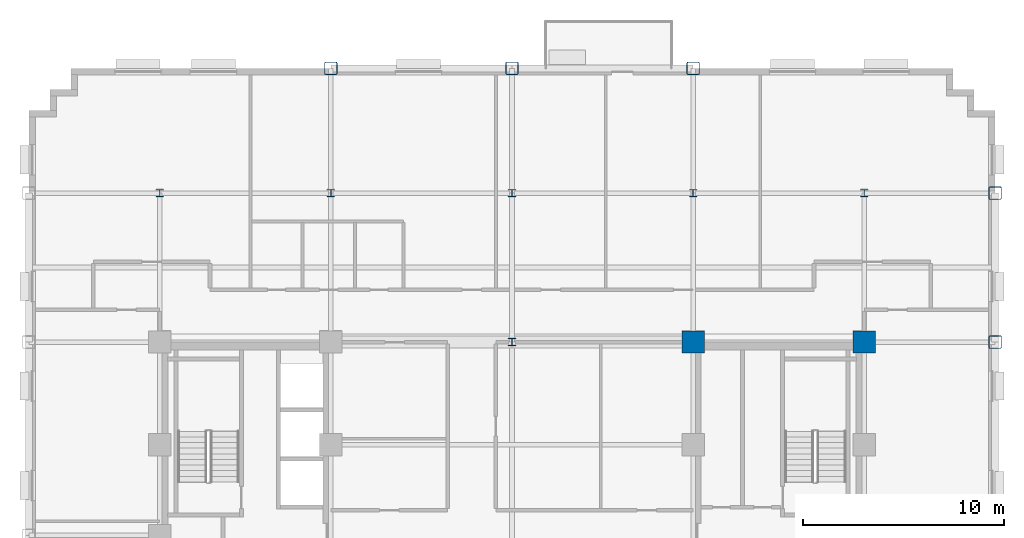
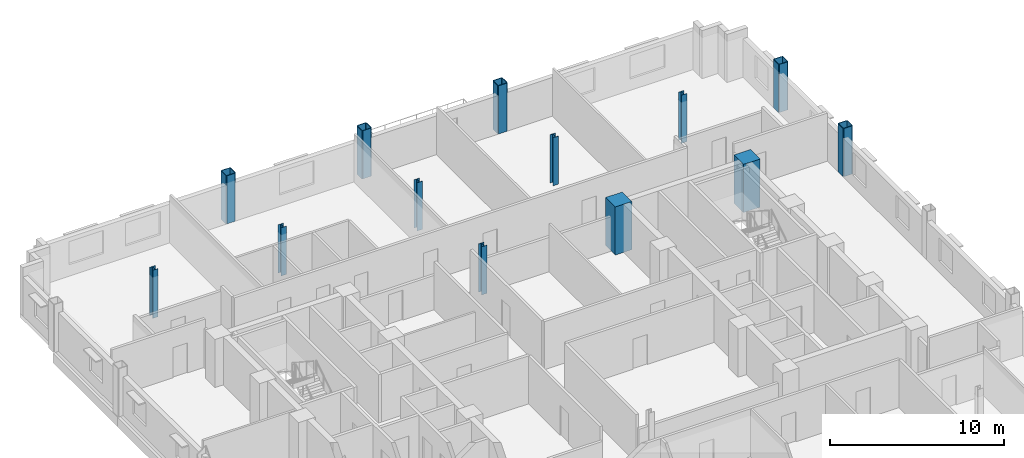
# One storey, part 3 of 14: 13 columns.
"""IFC4 building model written with IfcOpenShell, lengths in metres."""

import ifcopenshell
import ifcopenshell.guid

model = None  # the IFC model being written
_history = None  # IfcOwnerHistory: only IFC2X3 demands one
_inside = {}  # id of a spatial element -> (the spatial element, [elements in it])
_under = {}  # id of a project, library or spatial element -> (it, [spatial elements below it])
_declared = {}  # id of a project -> (the project, [libraries it declares])
_typed = {}  # id of a type object -> (the type object, [elements of that type])
_made_of = {}  # id of a material, layer set ... -> (it, [elements and type objects made of it])


def new_model(schema):
    """Start an empty IFC model of exactly this schema.

    Asked for "IFC4X3", IfcOpenShell would pick the latest addendum, in which some entities
    have other attributes; the version numbers below select the first issue.
    IFC2X3 requires an IfcOwnerHistory on every rooted entity: one is made here for all.
    """
    global model, _history
    if schema == "IFC4X3":
        model = ifcopenshell.file(schema_version=(4, 3, 0, 0))
    else:
        model = ifcopenshell.file(schema=schema)
    _inside.clear()
    _under.clear()
    _declared.clear()
    _typed.clear()
    _made_of.clear()
    _history = None
    if model.schema == "IFC2X3":
        org = make("IfcOrganization", Name="unknown")
        user = make(
            "IfcPersonAndOrganization",
            ThePerson=make("IfcPerson", FamilyName="unknown"),
            TheOrganization=org,
        )
        app = make(
            "IfcApplication",
            ApplicationDeveloper=org,
            Version="unknown",
            ApplicationFullName="unknown",
            ApplicationIdentifier="unknown",
        )
        _history = make(
            "IfcOwnerHistory",
            OwningUser=user,
            OwningApplication=app,
            ChangeAction="ADDED",
            CreationDate=0,
        )
    return model


def make(cls, **values):
    """One entity of the class cls with the attributes given. An attribute that is None is left unset."""
    return model.create_entity(
        cls, **{name: value for name, value in values.items() if value is not None}
    )


def rooted(cls, **values):
    """An entity with a GlobalId (a new one), such as an element, a storey or a relation."""
    return make(cls, GlobalId=ifcopenshell.guid.new(), OwnerHistory=_history, **values)


def si_unit(unit_type, name, prefix=None):
    """IfcSIUnit, for example si_unit("LENGTHUNIT", "METRE", prefix="MILLI")."""
    return make("IfcSIUnit", UnitType=unit_type, Prefix=prefix, Name=name)


def assignment(units):
    """IfcUnitAssignment: the units of a project."""
    return None if units is None else make("IfcUnitAssignment", Units=units)


def point(xyz):
    """IfcCartesianPoint."""
    return None if xyz is None else make("IfcCartesianPoint", Coordinates=xyz)


def direction(xyz):
    """IfcDirection."""
    return None if xyz is None else make("IfcDirection", DirectionRatios=xyz)


def frame(location, z_axis=None, x_axis=None):
    """IfcAxis2Placement3D, a coordinate frame: its origin and axes. An axis left out is left unset."""
    return make(
        "IfcAxis2Placement3D",
        Location=point(location),
        Axis=direction(z_axis),
        RefDirection=direction(x_axis),
    )


def frame_2d(location, x_axis=None):
    """IfcAxis2Placement2D, a coordinate frame in the plane: its origin and x axis."""
    return make(
        "IfcAxis2Placement2D", Location=point(location), RefDirection=direction(x_axis)
    )


def origin():
    """The frame at (0, 0, 0) with its axes left unset."""
    return frame((0.0, 0.0, 0.0))


def origin_2d():
    """The frame at (0, 0) in the plane with its x axis left unset."""
    return frame_2d((0.0, 0.0))


def place(relative_to, where):
    """IfcLocalPlacement: puts the frame where relative to a parent placement (None: the world)."""
    return make(
        "IfcLocalPlacement", PlacementRelTo=relative_to, RelativePlacement=where
    )


def context(
    kind, dimensions, precision=None, world=None, true_north=None, identifier=None
):
    """IfcGeometricRepresentationContext, for example the 3D "Model" context."""
    return make(
        "IfcGeometricRepresentationContext",
        ContextIdentifier=identifier,
        ContextType=kind,
        CoordinateSpaceDimension=dimensions,
        Precision=precision,
        WorldCoordinateSystem=world,
        TrueNorth=true_north,
    )


def subcontext(parent, identifier, kind, view, scale=None):
    """IfcGeometricRepresentationSubContext, for example "Body" below "Model"."""
    return make(
        "IfcGeometricRepresentationSubContext",
        ContextIdentifier=identifier,
        ContextType=kind,
        ParentContext=parent,
        TargetScale=scale,
        TargetView=view,
    )


def project(units=None, contexts=None):
    """IfcProject with its units and contexts."""
    return rooted(
        "IfcProject",
        Name="project",
        RepresentationContexts=contexts,
        UnitsInContext=assignment(units),
    )


def spatial(cls, under=None, at=None, **own):
    """A site, building, storey or space (cls), placed at a placement, below another one or the project."""
    s = rooted(cls, ObjectPlacement=at, **own)
    if under is not None:
        _under.setdefault(under.id(), (under, []))[1].append(s)
    return s


def profile(cls, at=None, kind="AREA", **sizes):
    """A parametric profile (cls). Its sizes go by their IFC names, for example OverallWidth=200.0."""
    return make(cls, ProfileType=kind, Position=at, **sizes)


def rectangle(**sizes):
    """IfcRectangleProfileDef."""
    return profile("IfcRectangleProfileDef", **sizes)


def hollow_rectangle(**sizes):
    """IfcRectangleHollowProfileDef."""
    return profile("IfcRectangleHollowProfileDef", **sizes)


def i_section(**sizes):
    """IfcIShapeProfileDef."""
    return profile("IfcIShapeProfileDef", **sizes)


def extrude(swept, where, along, depth):
    """IfcExtrudedAreaSolid: the profile swept, set in the frame where, extruded along a direction by depth."""
    return make(
        "IfcExtrudedAreaSolid",
        SweptArea=swept,
        Position=where,
        ExtrudedDirection=direction(along),
        Depth=depth,
    )


def shape(context_of_items, identifier, shape_type, items):
    """IfcShapeRepresentation: the items that make up one representation, for example the "Body"."""
    return make(
        "IfcShapeRepresentation",
        ContextOfItems=context_of_items,
        RepresentationIdentifier=identifier,
        RepresentationType=shape_type,
        Items=items,
    )


def material(Name=None, Category=None):
    """IfcMaterial."""
    return make("IfcMaterial", Name=Name, Category=Category)


def material_profile(
    of_material, cross_section, Name=None, Category=None, Priority=None
):
    """IfcMaterialProfile: a cross section and its material."""
    return make(
        "IfcMaterialProfile",
        Name=Name,
        Material=of_material,
        Profile=cross_section,
        Priority=Priority,
        Category=Category,
    )


def profile_set(profiles, Name=None, composite=None):
    """IfcMaterialProfileSet."""
    return make(
        "IfcMaterialProfileSet",
        Name=Name,
        MaterialProfiles=profiles,
        CompositeProfile=composite,
    )


def made_of(thing, what):
    """Note that an element or type object is made of a material, layer set ...; save() writes the relation."""
    if what is not None:
        _made_of.setdefault(what.id(), (what, []))[1].append(thing)
    return thing


def type_object(cls, material=None, **own):
    """A type object (cls), such as IfcWallType, which elements share."""
    return made_of(rooted(cls, **own), material)


def element(
    cls,
    number,
    at=None,
    inside=None,
    cuts=None,
    type_object=None,
    material=None,
    context=None,
    identifier="Body",
    shape_type=None,
    held_by="IfcProductDefinitionShape",
    body=None,
    shapes=None,
    **own,
):
    """One element of the class cls, such as IfcWall. Its Tag is "e" and its number.

    at: its placement. inside: the storey or other place that contains it. cuts: it is an
    opening in that element (IfcRelVoidsElement). A single representation is given by context,
    identifier, shape_type and body (its items); several are given by shapes. held_by: the class
    of the entity that holds the representations. save() writes the other relations.
    """
    e = rooted(cls, Tag="e%d" % number, ObjectPlacement=at, **own)
    if body is not None:
        shapes = [shape(context, identifier, shape_type, body)]
    if shapes is not None:
        e.Representation = make(held_by, Representations=shapes)
    if inside is not None:
        _inside.setdefault(inside.id(), (inside, []))[1].append(e)
    if cuts is not None:
        rooted(
            "IfcRelVoidsElement", RelatingBuildingElement=cuts, RelatedOpeningElement=e
        )
    if type_object is not None:
        _typed.setdefault(type_object.id(), (type_object, []))[1].append(e)
    return made_of(e, material)


def aggregate(whole, parts):
    """IfcRelAggregates: a whole, such as a stair, and the parts it consists of."""
    return rooted("IfcRelAggregates", RelatingObject=whole, RelatedObjects=parts)


def save(model, path):
    """Write the relations noted so far, then the file.

    IfcRelAggregates (storeys below a building ...), IfcRelContainedInSpatialStructure (elements
    in a storey), IfcRelDefinesByType, IfcRelAssociatesMaterial and IfcRelDeclares: one each for
    every whole, place, type object, material and project.
    """
    for whole, parts in _under.values():
        aggregate(whole, parts)
    for where, things in _inside.values():
        rooted(
            "IfcRelContainedInSpatialStructure",
            RelatedElements=things,
            RelatingStructure=where,
        )
    for kind, things in _typed.values():
        rooted("IfcRelDefinesByType", RelatedObjects=things, RelatingType=kind)
    for what, things in _made_of.values():
        rooted("IfcRelAssociatesMaterial", RelatedObjects=things, RelatingMaterial=what)
    for by, libraries in _declared.values():
        rooted("IfcRelDeclares", RelatingContext=by, RelatedDefinitions=libraries)
    model.write(path)


model = new_model("IFC4")

# Units and contexts
model_context = context("Model", 3, precision=1e-05, world=origin(), true_north=direction((0.0, 1.0)))
body_context = subcontext(model_context, "Body", "Model", "MODEL_VIEW")
ifc_project = project(units=[si_unit("LENGTHUNIT", "METRE"), si_unit("AREAUNIT", "SQUARE_METRE"), si_unit("VOLUMEUNIT", "CUBIC_METRE"), si_unit("PLANEANGLEUNIT", "RADIAN"), si_unit("MASSUNIT", "GRAM", prefix="KILO")], contexts=[model_context])

# Site, building, storey
site_placement = place(None, origin())
site = spatial("IfcSite", under=ifc_project, at=site_placement, CompositionType="ELEMENT")
building_placement = place(site_placement, origin())
building = spatial("IfcBuilding", under=site, at=building_placement, Name="Nuvemarco Arch Tower", CompositionType="ELEMENT")
storey_placement = place(building_placement, frame((0.0, 0.0, 101.949951171875)))
storey = spatial("IfcBuildingStorey", under=building, at=storey_placement, Name="L26", CompositionType="ELEMENT", Elevation=101.949951171875)

# Columns
ifc_material_1 = material(Name="Concrete C60/75", Category="concrete")
ifc_material_profile_1 = material_profile(ifc_material_1, rectangle(XDim=1.10009765625, YDim=1.10009765625, at=origin_2d()), Name="RC-COL-1100x1100")
ifc_profile_set_1 = profile_set([ifc_material_profile_1], Name="Concrete C60/75")
column_type_1 = type_object("IfcColumnType", Name="COL-CORE-1100", PredefinedType="COLUMN", material=ifc_profile_set_1)
for number, where, z_axis, x_axis, name in (
    (1, (9.0, 9.60009765625, 0.0), (0.0, 0.0, 1.0), (1.0, 0.0, 0.0), "L26 column CC_+9.0_+9.6"),
    (2, (17.5, 9.60009765625, 0.0), (0.0, 0.0, 1.0), (1.0, 0.0, 0.0), "L26 column CC_+17.5_+9.6"),
):
    element("IfcColumn", number, at=place(storey_placement, frame(where, z_axis=z_axis, x_axis=x_axis)), inside=storey, type_object=column_type_1, Name=name, PredefinedType="COLUMN", context=body_context, shape_type="SweptSolid", body=[
        extrude(rectangle(XDim=1.10009765625, YDim=1.10009765625, at=origin_2d()), origin(), (0.0, 0.0, 1.0), 3.3701171875),
    ])
ifc_material_2 = material(Name="Steel S355", Category="steel")
ifc_material_profile_2 = material_profile(ifc_material_2, hollow_rectangle(XDim=0.64990234375, YDim=0.64990234375, WallThickness=0.0400390625, InnerFilletRadius=0.0400390625, OuterFilletRadius=0.080078125, at=origin_2d()), Name="SHS650x650x40")
ifc_profile_set_2 = profile_set([ifc_material_profile_2], Name="Steel S355")
column_type_2 = type_object("IfcColumnType", Name="COL-EXO-650", PredefinedType="COLUMN", material=ifc_profile_set_2)
for number, where, z_axis, x_axis, name in (
    (3, (24.0, 9.60009765625, 0.0), (0.0, 0.0, 1.0), (1.0, 0.0, 0.0), "L26 column CX_+24.0_+9.6"),
    (4, (24.0, 17.0, 0.0), (0.0, 0.0, 1.0), (1.0, 0.0, 0.0), "L26 column CX_+24.0_+17.0"),
    (5, (-9.0, 23.199951171875, 0.0), (0.0, 0.0, 1.0), (1.0, 0.0, 0.0), "L26 column CY_-9.0_+23.2"),
    (6, (0.0, 23.199951171875, 0.0), (0.0, 0.0, 1.0), (1.0, 0.0, 0.0), "L26 column CY_+0.0_+23.2"),
    (7, (9.0, 23.199951171875, 0.0), (0.0, 0.0, 1.0), (1.0, 0.0, 0.0), "L26 column CY_+9.0_+23.2"),
):
    element("IfcColumn", number, at=place(storey_placement, frame(where, z_axis=z_axis, x_axis=x_axis)), inside=storey, type_object=column_type_2, Name=name, PredefinedType="COLUMN", context=body_context, shape_type="SweptSolid", body=[
        extrude(hollow_rectangle(XDim=0.64990234375, YDim=0.64990234375, WallThickness=0.0400390625, InnerFilletRadius=0.0400390625, OuterFilletRadius=0.080078125, at=origin_2d()), origin(), (0.0, 0.0, 1.0), 3.3701171875),
    ])
ifc_material_profile_3 = material_profile(ifc_material_2, i_section(OverallWidth=0.360107421875, OverallDepth=0.360107421875, WebThickness=0.0205078125, FlangeThickness=0.0205078125, FilletRadius=0.01806640625, at=origin_2d()), Name="HP360x174")
ifc_profile_set_3 = profile_set([ifc_material_profile_3], Name="Steel S355")
column_type_3 = type_object("IfcColumnType", Name="COL-STL-HP360", PredefinedType="COLUMN", material=ifc_profile_set_3)
for number, where, z_axis, x_axis, name in (
    (8, (0.0, 9.60009765625, 0.0), (0.0, 0.0, 1.0), (1.0, 0.0, 0.0), "L26 column CI_+0.0_+9.6"),
    (9, (0.0, 17.0, 0.0), (0.0, 0.0, 1.0), (1.0, 0.0, 0.0), "L26 column CI_+0.0_+17.0"),
    (10, (-17.5, 17.0, 0.0), (0.0, 0.0, 1.0), (1.0, 0.0, 0.0), "L26 column CI_-17.5_+17.0"),
    (11, (-9.0, 17.0, 0.0), (0.0, 0.0, 1.0), (1.0, 0.0, 0.0), "L26 column CI_-9.0_+17.0"),
    (12, (9.0, 17.0, 0.0), (0.0, 0.0, 1.0), (1.0, 0.0, 0.0), "L26 column CI_+9.0_+17.0"),
    (13, (17.5, 17.0, 0.0), (0.0, 0.0, 1.0), (1.0, 0.0, 0.0), "L26 column CI_+17.5_+17.0"),
):
    element("IfcColumn", number, at=place(storey_placement, frame(where, z_axis=z_axis, x_axis=x_axis)), inside=storey, type_object=column_type_3, Name=name, PredefinedType="COLUMN", context=body_context, shape_type="SweptSolid", body=[
        extrude(i_section(OverallWidth=0.360107421875, OverallDepth=0.360107421875, WebThickness=0.0205078125, FlangeThickness=0.0205078125, FilletRadius=0.01806640625, at=origin_2d()), origin(), (0.0, 0.0, 1.0), 3.3701171875),
    ])

save(model, "model.ifc")
